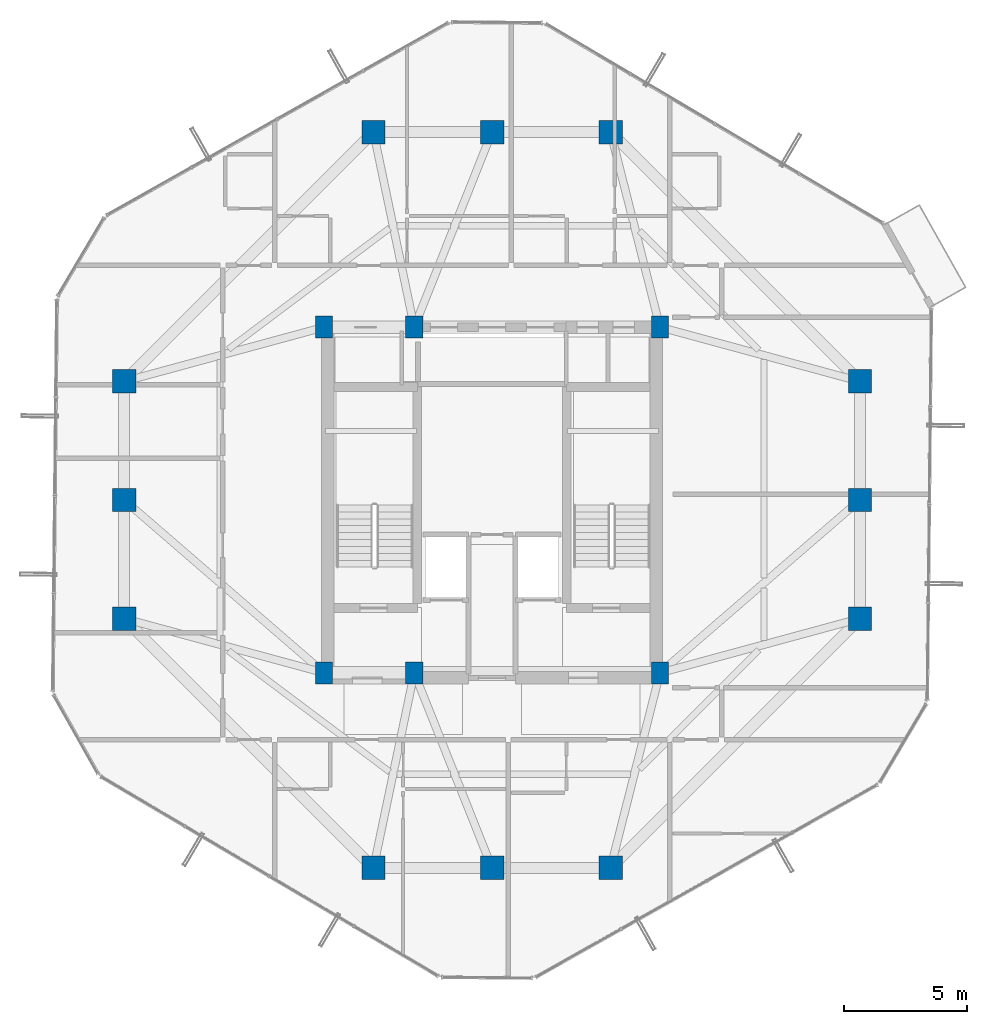
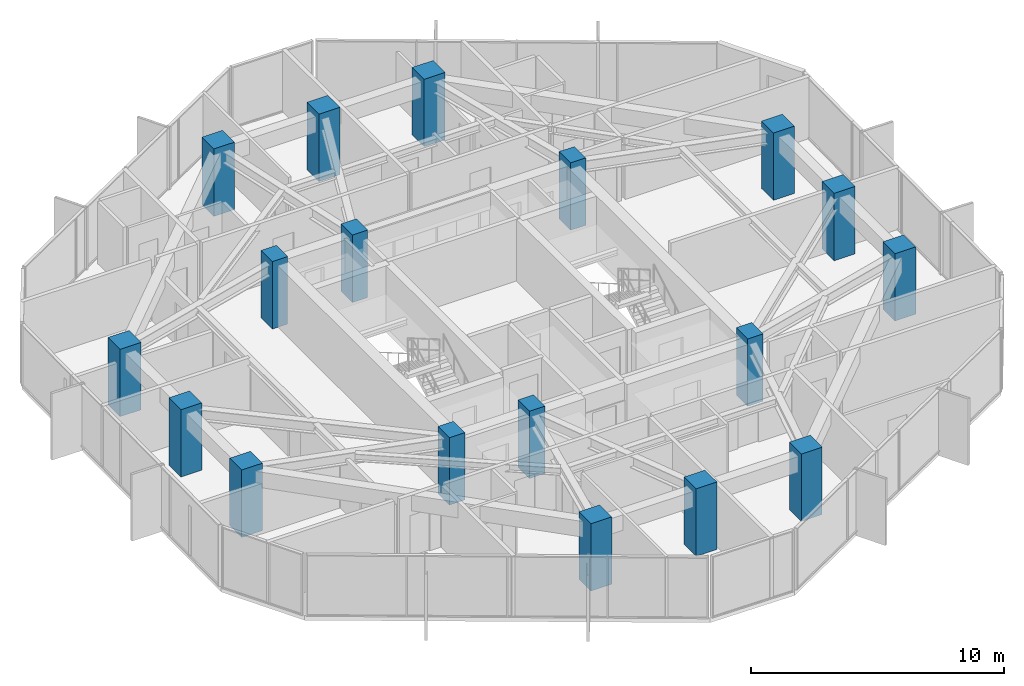
# One storey, part 1 of 30: 18 columns.
"""IFC4 building model written with IfcOpenShell, lengths in metres."""

from ifc_helpers import new_model, si_unit, direction, frame, origin, origin_2d, place, context, subcontext, project, spatial, rectangle, extrude, material, material_profile, profile_set, type_object, element, save


model = new_model("IFC4")

# Units and contexts
model_context = context("Model", 3, precision=1e-05, world=origin(), true_north=direction((0.0, 1.0)))
body_context = subcontext(model_context, "Body", "Model", "MODEL_VIEW")
ifc_project = project(units=[si_unit("LENGTHUNIT", "METRE"), si_unit("AREAUNIT", "SQUARE_METRE"), si_unit("VOLUMEUNIT", "CUBIC_METRE"), si_unit("PLANEANGLEUNIT", "RADIAN"), si_unit("MASSUNIT", "GRAM", prefix="KILO")], contexts=[model_context])

# Site, building, storey
site_placement = place(None, origin())
site = spatial("IfcSite", under=ifc_project, at=site_placement, CompositionType="ELEMENT")
building_placement = place(site_placement, origin())
building = spatial("IfcBuilding", under=site, at=building_placement, Name="Veraguas Prism Commons", CompositionType="ELEMENT")
storey_placement = place(building_placement, frame((0.0, 0.0, 208.10009765625)))
storey = spatial("IfcBuildingStorey", under=building, at=storey_placement, Name="L59", CompositionType="ELEMENT", Elevation=208.10009765625)

# Columns
ifc_material = material(Name="Concrete C50/60", Category="concrete")
ifc_material_profile_1 = material_profile(ifc_material, rectangle(XDim=0.949951171875, YDim=0.949951171875, at=origin_2d()), Name="RC950X950")
ifc_profile_set_1 = profile_set([ifc_material_profile_1], Name="Concrete C50/60")
column_type_1 = type_object("IfcColumnType", Name="Column Tube Z3 RC 950x950", PredefinedType="COLUMN", material=ifc_profile_set_1)
for number, where, z_axis, x_axis, name in (
    (1, (38.89990234375, 19.199951171875, 0.0), (0.0, 0.0, 1.0), (1.0, 0.0, 0.0), "Tower Perimeter Column L59-TB01"),
    (2, (38.89990234375, 24.0, 0.0), (0.0, 0.0, 1.0), (1.0, 0.0, 0.0), "Tower Perimeter Column L59-TB02"),
    (3, (38.89990234375, 28.800048828125, 0.0), (0.0, 0.0, 1.0), (1.0, 0.0, 0.0), "Tower Perimeter Column L59-TB03"),
    (4, (28.800048828125, 38.89990234375, 0.0), (0.0, 0.0, 1.0), (1.0, 0.0, 0.0), "Tower Perimeter Column L59-TB04"),
    (5, (24.0, 38.89990234375, 0.0), (0.0, 0.0, 1.0), (1.0, 0.0, 0.0), "Tower Perimeter Column L59-TB05"),
    (6, (19.199951171875, 38.89990234375, 0.0), (0.0, 0.0, 1.0), (1.0, 0.0, 0.0), "Tower Perimeter Column L59-TB06"),
    (7, (9.10009765625, 28.800048828125, 0.0), (0.0, 0.0, 1.0), (1.0, 0.0, 0.0), "Tower Perimeter Column L59-TB07"),
    (8, (9.10009765625, 24.0, 0.0), (0.0, 0.0, 1.0), (1.0, 0.0, 0.0), "Tower Perimeter Column L59-TB08"),
    (9, (9.10009765625, 19.199951171875, 0.0), (0.0, 0.0, 1.0), (1.0, 0.0, 0.0), "Tower Perimeter Column L59-TB09"),
    (10, (19.199951171875, 9.10009765625, 0.0), (0.0, 0.0, 1.0), (1.0, 0.0, 0.0), "Tower Perimeter Column L59-TB10"),
    (11, (24.0, 9.10009765625, 0.0), (0.0, 0.0, 1.0), (1.0, 0.0, 0.0), "Tower Perimeter Column L59-TB11"),
    (12, (28.800048828125, 9.10009765625, 0.0), (0.0, 0.0, 1.0), (1.0, 0.0, 0.0), "Tower Perimeter Column L59-TB12"),
):
    element("IfcColumn", number, at=place(storey_placement, frame(where, z_axis=z_axis, x_axis=x_axis)), inside=storey, type_object=column_type_1, Name=name, PredefinedType="COLUMN", context=body_context, shape_type="SweptSolid", body=[
        extrude(rectangle(XDim=0.949951171875, YDim=0.949951171875, at=origin_2d()), origin(), (0.0, 0.0, 1.0), 3.25),
    ])
ifc_material_profile_2 = material_profile(ifc_material, rectangle(XDim=0.699951171875, YDim=0.89990234375, at=origin_2d()), Name="RC700X900")
ifc_profile_set_2 = profile_set([ifc_material_profile_2], Name="Concrete C50/60")
column_type_2 = type_object("IfcColumnType", Name="Pilaster Core Upper RC 700x900", PredefinedType="PILASTER", material=ifc_profile_set_2)
for number, where, z_axis, x_axis, name in (
    (13, (17.199951171875, 17.0, 0.0), (0.0, 0.0, 1.0), (1.0, 0.0, 0.0), "Core Pilaster Column L59-CR1"),
    (14, (20.85009765625, 17.0, 0.0), (0.0, 0.0, 1.0), (1.0, 0.0, 0.0), "Core Pilaster Column L59-CR2"),
    (15, (30.800048828125, 17.0, 0.0), (0.0, 0.0, 1.0), (1.0, 0.0, 0.0), "Core Pilaster Column L59-CR3"),
    (16, (17.199951171875, 31.0, 0.0), (0.0, 0.0, 1.0), (1.0, 0.0, 0.0), "Core Pilaster Column L59-CR4"),
    (17, (20.85009765625, 31.0, 0.0), (0.0, 0.0, 1.0), (1.0, 0.0, 0.0), "Core Pilaster Column L59-CR5"),
    (18, (30.800048828125, 31.0, 0.0), (0.0, 0.0, 1.0), (1.0, 0.0, 0.0), "Core Pilaster Column L59-CR6"),
):
    element("IfcColumn", number, at=place(storey_placement, frame(where, z_axis=z_axis, x_axis=x_axis)), inside=storey, type_object=column_type_2, Name=name, PredefinedType="PILASTER", context=body_context, shape_type="SweptSolid", body=[
        extrude(rectangle(XDim=0.699951171875, YDim=0.89990234375, at=origin_2d()), origin(), (0.0, 0.0, 1.0), 3.25),
    ])

save(model, "model.ifc")
